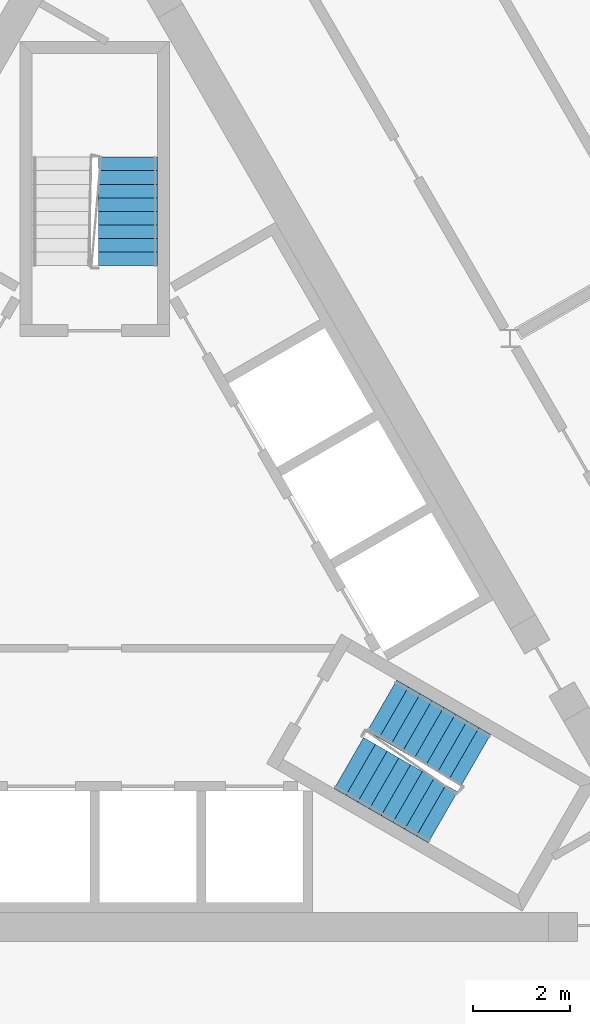
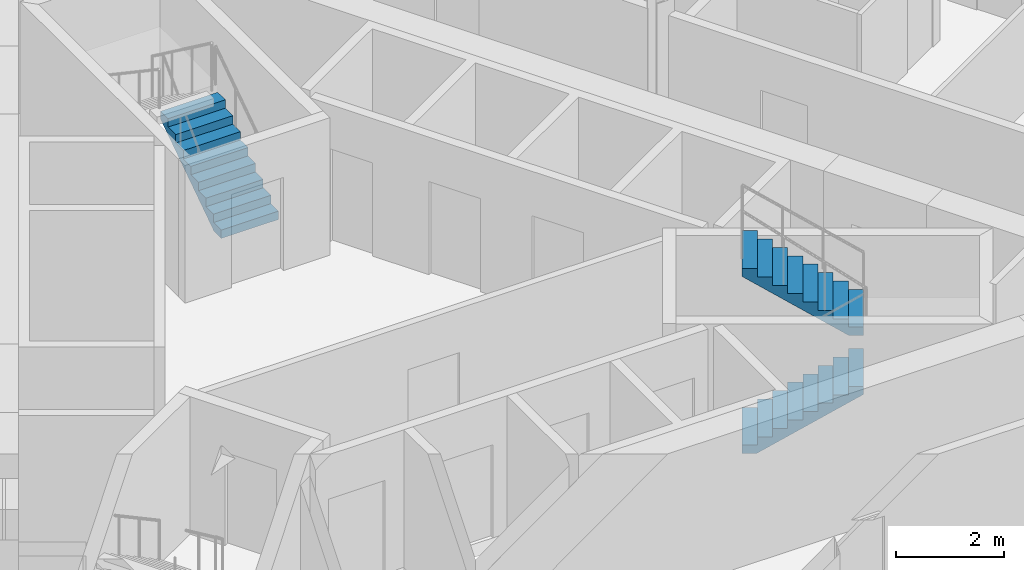
# One storey, part 18 of 26: 3 stair flights, 2 elements without a shape of their own.
"""IFC4 building model written with IfcOpenShell, lengths in metres."""

from ifc_helpers import new_model, si_unit, direction, frame, origin, place, context, subcontext, project, spatial, polyline, outline, extrude, material, type_object, element, aggregate, save


model = new_model("IFC4")

# Units and contexts
model_context = context("Model", 3, precision=1e-05, world=origin(), true_north=direction((0.0, 1.0)))
body_context = subcontext(model_context, "Body", "Model", "MODEL_VIEW")
ifc_project = project(units=[si_unit("LENGTHUNIT", "METRE"), si_unit("AREAUNIT", "SQUARE_METRE"), si_unit("VOLUMEUNIT", "CUBIC_METRE"), si_unit("PLANEANGLEUNIT", "RADIAN"), si_unit("MASSUNIT", "GRAM", prefix="KILO")], contexts=[model_context])

# Site, building, storey
site_placement = place(None, origin())
site = spatial("IfcSite", under=ifc_project, at=site_placement, CompositionType="ELEMENT")
building_placement = place(site_placement, origin())
building = spatial("IfcBuilding", under=site, at=building_placement, Name="Cormorant Prow Tower", CompositionType="ELEMENT")
storey_placement = place(building_placement, frame((0.0, 0.0, 388.199951171875)))
storey = spatial("IfcBuildingStorey", under=building, at=storey_placement, Name="L88", CompositionType="ELEMENT", Elevation=388.199951171875)

# Stair, stair flights
ifc_material_1 = material(Name="Exit stair 18 risers")
stair_type = type_object("IfcStairType", Name="Exit stair 18 risers", PredefinedType="HALF_TURN_STAIR", material=ifc_material_1)
stair_1_placement = place(storey_placement, origin())
stair_1 = element("IfcStair", 1, at=stair_1_placement, inside=storey, type_object=stair_type, Name="L88 Exit stair ST2", PredefinedType="HALF_TURN_STAIR")
ifc_material_2 = material(Name="Concrete 5000 psi", Category="concrete")
stair_flight_type = type_object("IfcStairFlightType", Name="Stair flight 1219", PredefinedType="STRAIGHT", material=ifc_material_2)
stair_flight_1_placement = place(storey_placement, frame((5.24853515625, -3.82080078125, 0.0), z_axis=(0.0, 0.0, 1.0), x_axis=(0.866025403784, -0.5, 0.0)))
stair_flight_1 = element("IfcStairFlight", 2, at=stair_flight_1_placement, type_object=stair_flight_type, Name="ST2 flight 1", NumberOfRisers=9, NumberOfTreads=8, PredefinedType="STRAIGHT", RiserHeight=0.188888889, TreadLength=0.28, context=body_context, shape_type="SweptSolid", body=[
    extrude(outline(polyline([(0.0, 0.0), (0.0, 0.18896484375), (0.280029296875, 0.18896484375), (0.280029296875, 0.377685546875), (0.56005859375, 0.377685546875), (0.56005859375, 0.566650390625), (0.840087890625, 0.566650390625), (0.840087890625, 0.755615234375), (1.1201171875, 0.755615234375), (1.1201171875, 0.9443359375), (1.39990234375, 0.9443359375), (1.39990234375, 1.13330078125), (1.679931640625, 1.13330078125), (1.679931640625, 1.322265625), (1.9599609375, 1.322265625), (1.9599609375, 1.51123046875), (2.239990234375, 1.51123046875), (2.239990234375, 1.699951171875), (2.239990234375, 1.330322265625), (0.26806640625, 0.0), (0.0, 0.0)])), frame((0.0, 0.609375, 0.0), z_axis=(0.0, -1.0, 0.0), x_axis=(1.0, 0.0, 0.0)), (0.0, 0.0, 1.0), 1.218994140625),
])
stair_flight_2_placement = place(storey_placement, frame((7.873046875, -3.755126953125, 1.699951171875), z_axis=(0.0, 0.0, 1.0), x_axis=(-0.866025403784, 0.5, 0.0)))
stair_flight_2 = element("IfcStairFlight", 3, at=stair_flight_2_placement, type_object=stair_flight_type, Name="ST2 flight 2", NumberOfRisers=9, NumberOfTreads=8, PredefinedType="STRAIGHT", RiserHeight=0.188888889, TreadLength=0.28, context=body_context, shape_type="SweptSolid", body=[
    extrude(outline(polyline([(0.0, 0.0), (0.0, 0.18896484375), (0.280029296875, 0.18896484375), (0.280029296875, 0.377685546875), (0.56005859375, 0.377685546875), (0.56005859375, 0.566650390625), (0.840087890625, 0.566650390625), (0.840087890625, 0.755615234375), (1.1201171875, 0.755615234375), (1.1201171875, 0.9443359375), (1.39990234375, 0.9443359375), (1.39990234375, 1.13330078125), (1.679931640625, 1.13330078125), (1.679931640625, 1.322265625), (1.9599609375, 1.322265625), (1.9599609375, 1.51123046875), (2.239990234375, 1.51123046875), (2.239990234375, 1.699951171875), (2.239990234375, 1.330322265625), (0.26806640625, 0.0), (0.0, 0.0)])), frame((0.0, 0.609375, 0.0), z_axis=(0.0, -1.0, 0.0), x_axis=(1.0, 0.0, 0.0)), (0.0, 0.0, 1.0), 1.218994140625),
])
aggregate(stair_1, [stair_flight_1, stair_flight_2])

# Stair, stair flight
stair_2_placement = place(storey_placement, origin())
stair_2 = element("IfcStair", 4, at=stair_2_placement, inside=storey, type_object=stair_type, Name="L88 Exit stair ST3", PredefinedType="HALF_TURN_STAIR")
stair_flight_3_placement = place(storey_placement, frame((0.6845703125, 6.455810546875, 0.0), z_axis=(0.0, 0.0, 1.0), x_axis=(0.0, 1.0, 0.0)))
stair_flight_3 = element("IfcStairFlight", 5, at=stair_flight_3_placement, type_object=stair_flight_type, Name="ST3 flight 1", NumberOfRisers=9, NumberOfTreads=8, PredefinedType="STRAIGHT", RiserHeight=0.188888889, TreadLength=0.28, context=body_context, shape_type="SweptSolid", body=[
    extrude(outline(polyline([(0.0, 0.0), (0.0, 0.18896484375), (0.280029296875, 0.18896484375), (0.280029296875, 0.377685546875), (0.56005859375, 0.377685546875), (0.56005859375, 0.566650390625), (0.840087890625, 0.566650390625), (0.840087890625, 0.755615234375), (1.1201171875, 0.755615234375), (1.1201171875, 0.9443359375), (1.39990234375, 0.9443359375), (1.39990234375, 1.13330078125), (1.679931640625, 1.13330078125), (1.679931640625, 1.322265625), (1.9599609375, 1.322265625), (1.9599609375, 1.51123046875), (2.239990234375, 1.51123046875), (2.239990234375, 1.699951171875), (2.239990234375, 1.330322265625), (0.26806640625, 0.0), (0.0, 0.0)])), frame((0.0, 0.609375, 0.0), z_axis=(0.0, -1.0, 0.0), x_axis=(1.0, 0.0, 0.0)), (0.0, 0.0, 1.0), 1.218994140625),
])
aggregate(stair_2, [stair_flight_3])

save(model, "model.ifc")
